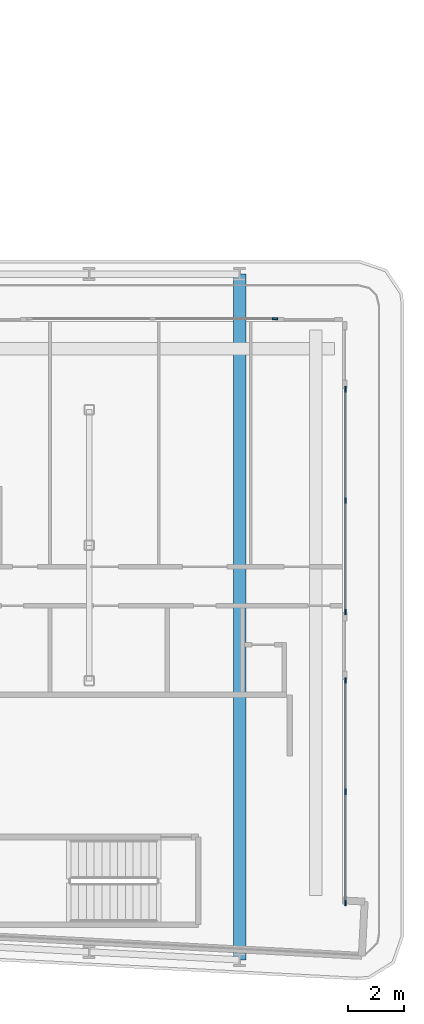
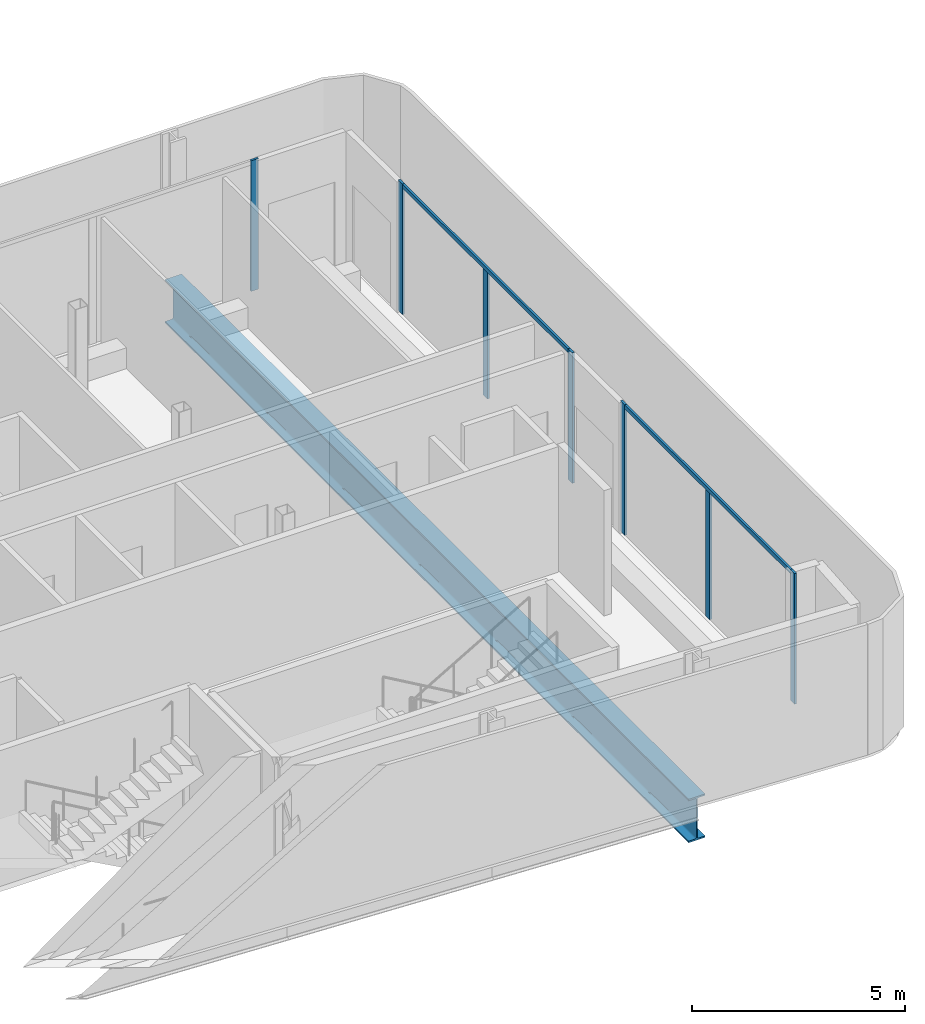
# One storey, part 8 of 27: 9 members, 1 beam, 3 elements without a shape of their own.
"""IFC4 building model written with IfcOpenShell, lengths in metres."""

from ifc_helpers import new_model, si_unit, direction, frame, origin, origin_2d, place, context, subcontext, project, spatial, rectangle, i_section, extrude, material, layer, layer_set, material_profile, profile_set, type_object, element, aggregate, save


model = new_model("IFC4")

# Units and contexts
model_context = context("Model", 3, precision=1e-05, world=origin(), true_north=direction((0.0, 1.0)))
body_context = subcontext(model_context, "Body", "Model", "MODEL_VIEW")
ifc_project = project(units=[si_unit("LENGTHUNIT", "METRE"), si_unit("AREAUNIT", "SQUARE_METRE"), si_unit("VOLUMEUNIT", "CUBIC_METRE"), si_unit("PLANEANGLEUNIT", "RADIAN"), si_unit("MASSUNIT", "GRAM", prefix="KILO")], contexts=[model_context])

# Site, building, storey
site_placement = place(None, origin())
site = spatial("IfcSite", under=ifc_project, at=site_placement, CompositionType="ELEMENT")
building_placement = place(site_placement, origin())
building = spatial("IfcBuilding", under=site, at=building_placement, Name="Kheshtan School and Residences Tower", CompositionType="ELEMENT")
storey_placement = place(building_placement, frame((0.0, 0.0, 46.10009765625)))
storey = spatial("IfcBuildingStorey", under=building, at=storey_placement, Name="L10", CompositionType="ELEMENT", Elevation=46.10009765625)

# Curtain wall, member
ifc_material_1 = material(Name="Clear low-e glass in thermally broken aluminium frame", Category="aluminium")
ifc_layer = layer(ifc_material_1, 0.199951171875)
ifc_layer_set = layer_set([ifc_layer], Name="Curtain wall CW-L")
curtain_wall_type = type_object("IfcCurtainWallType", Name="Curtain wall CW-L", PredefinedType="NOTDEFINED", material=ifc_layer_set)
curtain_wall_1_placement = place(storey_placement, origin())
curtain_wall_1 = element("IfcCurtainWall", 1, at=curtain_wall_1_placement, inside=storey, type_object=curtain_wall_type, Name="Curtain wall CWL12i", PredefinedType="NOTDEFINED")
ifc_material_2 = material(Name="Thermally broken aluminium, dark bronze anodised", Category="aluminium")
ifc_material_profile_1 = material_profile(ifc_material_2, rectangle(XDim=0.06005859375, YDim=0.199951171875, at=origin_2d()), Name="CW-L mullion 60x200")
ifc_profile_set_1 = profile_set([ifc_material_profile_1], Name="Thermally broken aluminium, dark bronze anodised")
member_type_1 = type_object("IfcMemberType", Name="CW-L mullion 60x200", PredefinedType="MULLION", material=ifc_profile_set_1)
member_1_placement = place(storey_placement, frame((92.070068359375, 44.0, 0.0), z_axis=(0.0, 0.0, 1.0), x_axis=(0.0, 1.0, 0.0)))
member_1 = element("IfcMember", 2, at=member_1_placement, type_object=member_type_1, Name="CWL12i mullion 3", PredefinedType="MULLION", context=body_context, shape_type="SweptSolid", body=[
    extrude(rectangle(XDim=0.06005859375, YDim=0.199951171875, at=origin_2d()), origin(), (0.0, 0.0, 1.0), 3.75),
])
aggregate(curtain_wall_1, [member_1])

# Curtain wall, members
curtain_wall_2_placement = place(storey_placement, origin())
curtain_wall_2 = element("IfcCurtainWall", 3, at=curtain_wall_2_placement, inside=storey, type_object=curtain_wall_type, Name="Curtain wall CWL13a", PredefinedType="NOTDEFINED")
member_2_placement = place(storey_placement, frame((94.60009765625, 41.469970703125, 0.0), z_axis=(0.0, 0.0, 1.0), x_axis=(1.0, 0.0, 0.0)))
member_2 = element("IfcMember", 4, at=member_2_placement, type_object=member_type_1, Name="CWL13a mullion 1", PredefinedType="MULLION", context=body_context, shape_type="SweptSolid", body=[
    extrude(rectangle(XDim=0.06005859375, YDim=0.199951171875, at=origin_2d()), origin(), (0.0, 0.0, 1.0), 3.75),
])
member_3_placement = place(storey_placement, frame((94.60009765625, 37.474609375, 0.0), z_axis=(0.0, 0.0, 1.0), x_axis=(1.0, 0.0, 0.0)))
member_3 = element("IfcMember", 5, at=member_3_placement, type_object=member_type_1, Name="CWL13a mullion 2", PredefinedType="MULLION", context=body_context, shape_type="SweptSolid", body=[
    extrude(rectangle(XDim=0.06005859375, YDim=0.199951171875, at=origin_2d()), origin(), (0.0, 0.0, 1.0), 3.6298828125),
])
member_4_placement = place(storey_placement, frame((94.60009765625, 33.47900390625, 0.0), z_axis=(0.0, 0.0, 1.0), x_axis=(1.0, 0.0, 0.0)))
member_4 = element("IfcMember", 6, at=member_4_placement, type_object=member_type_1, Name="CWL13a mullion 3", PredefinedType="MULLION", context=body_context, shape_type="SweptSolid", body=[
    extrude(rectangle(XDim=0.06005859375, YDim=0.199951171875, at=origin_2d()), origin(), (0.0, 0.0, 1.0), 3.75),
])

curtain_wall_3_placement = place(storey_placement, origin())
curtain_wall_3 = element("IfcCurtainWall", 7, at=curtain_wall_3_placement, inside=storey, type_object=curtain_wall_type, Name="Curtain wall CWL13a", PredefinedType="NOTDEFINED")
member_5_placement = place(storey_placement, frame((94.60009765625, 31.01904296875, 0.0), z_axis=(0.0, 0.0, 1.0), x_axis=(1.0, 0.0, 0.0)))
member_5 = element("IfcMember", 8, at=member_5_placement, type_object=member_type_1, Name="CWL13a mullion 1", PredefinedType="MULLION", context=body_context, shape_type="SweptSolid", body=[
    extrude(rectangle(XDim=0.06005859375, YDim=0.199951171875, at=origin_2d()), origin(), (0.0, 0.0, 1.0), 3.75),
])
member_6_placement = place(storey_placement, frame((94.60009765625, 27.0234375, 0.0), z_axis=(0.0, 0.0, 1.0), x_axis=(1.0, 0.0, 0.0)))
member_6 = element("IfcMember", 9, at=member_6_placement, type_object=member_type_1, Name="CWL13a mullion 2", PredefinedType="MULLION", context=body_context, shape_type="SweptSolid", body=[
    extrude(rectangle(XDim=0.06005859375, YDim=0.199951171875, at=origin_2d()), origin(), (0.0, 0.0, 1.0), 3.6298828125),
])
member_7_placement = place(storey_placement, frame((94.60009765625, 23.028076171875, 0.0), z_axis=(0.0, 0.0, 1.0), x_axis=(1.0, 0.0, 0.0)))
member_7 = element("IfcMember", 10, at=member_7_placement, type_object=member_type_1, Name="CWL13a mullion 3", PredefinedType="MULLION", context=body_context, shape_type="SweptSolid", body=[
    extrude(rectangle(XDim=0.06005859375, YDim=0.199951171875, at=origin_2d()), origin(), (0.0, 0.0, 1.0), 3.75),
])

# Member
ifc_material_profile_2 = material_profile(ifc_material_2, rectangle(XDim=0.06005859375, YDim=0.1201171875, at=origin_2d()), Name="CW-L transom 60x120")
ifc_profile_set_2 = profile_set([ifc_material_profile_2], Name="Thermally broken aluminium, dark bronze anodised")
member_type_2 = type_object("IfcMemberType", Name="CW-L transom 60x120", PredefinedType="USERDEFINED", material=ifc_profile_set_2)
member_8_placement = place(storey_placement, frame((94.60009765625, 41.43994140625, 3.68994140625), z_axis=(0.0, -1.0, 0.0), x_axis=(1.0, 0.0, 0.0)))
member_8 = element("IfcMember", 11, at=member_8_placement, type_object=member_type_2, Name="CWL13a transom 1", ObjectType="TRANSOM", PredefinedType="USERDEFINED", context=body_context, shape_type="SweptSolid", body=[
    extrude(rectangle(XDim=0.06005859375, YDim=0.1201171875, at=origin_2d()), origin(), (0.0, 0.0, 1.0), 7.930908203125),
])

aggregate(curtain_wall_2, [member_2, member_3, member_4, member_8])

member_9_placement = place(storey_placement, frame((94.60009765625, 30.989013671875, 3.68994140625), z_axis=(0.0, -1.0, 0.0), x_axis=(1.0, 0.0, 0.0)))
member_9 = element("IfcMember", 12, at=member_9_placement, type_object=member_type_2, Name="CWL13a transom 1", ObjectType="TRANSOM", PredefinedType="USERDEFINED", context=body_context, shape_type="SweptSolid", body=[
    extrude(rectangle(XDim=0.06005859375, YDim=0.1201171875, at=origin_2d()), origin(), (0.0, 0.0, 1.0), 7.930908203125),
])

aggregate(curtain_wall_3, [member_5, member_6, member_7, member_9])

# Beam
ifc_material_3 = material(Name="Steel ASTM A992 Grade 50", Category="steel")
ifc_material_profile_3 = material_profile(ifc_material_3, i_section(OverallWidth=0.449951171875, OverallDepth=1.25, WebThickness=0.02490234375, FlangeThickness=0.044921875, FilletRadius=0.03759765625, at=origin_2d()), Name="WWF1250x546")
ifc_profile_set_3 = profile_set([ifc_material_profile_3], Name="Steel ASTM A992 Grade 50")
beam_type = type_object("IfcBeamType", Name="Transfer girder TG4 WWF1250x546 ASTM A992 Grade 50", PredefinedType="BEAM", material=ifc_profile_set_3)
beam_placement = place(storey_placement, frame((90.800048828125, 45.60009765625, -0.775146484375), z_axis=(0.0, -1.0, 0.0), x_axis=(1.0, 0.0, 0.0)))
element("IfcBeam", 13, at=beam_placement, inside=storey, type_object=beam_type, Name="Transfer girder C068-C006", PredefinedType="BEAM", context=body_context, shape_type="SweptSolid", body=[
    extrude(i_section(OverallWidth=0.449951171875, OverallDepth=1.25, WebThickness=0.02490234375, FlangeThickness=0.044921875, FilletRadius=0.03759765625, at=origin_2d()), origin(), (0.0, 0.0, 1.0), 24.610107421875),
])

save(model, "model.ifc")
